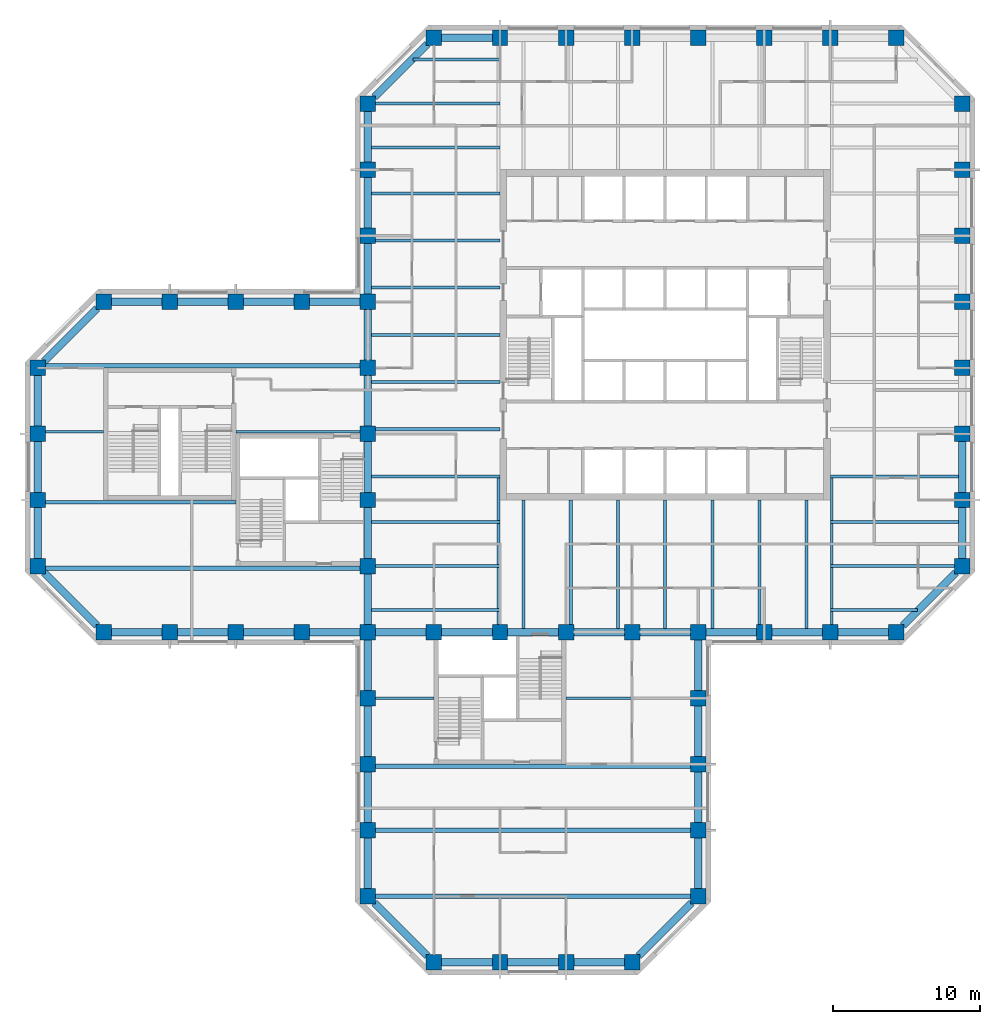
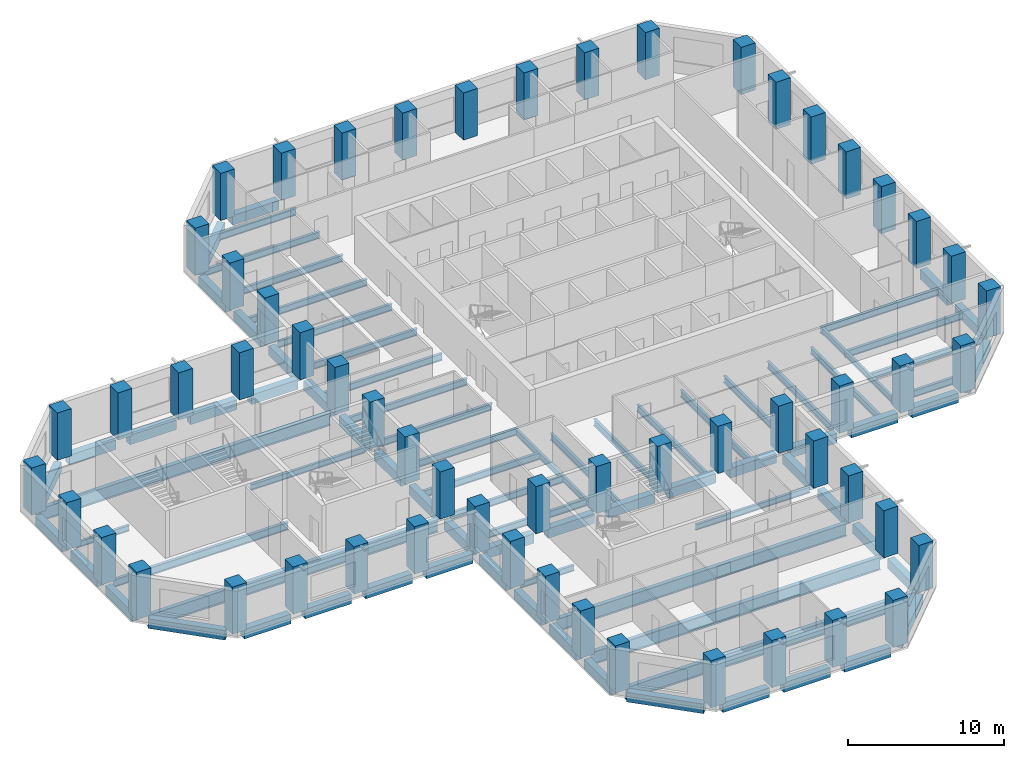
# One storey, part 1 of 11: 83 beams, 57 columns.
"""IFC4 building model written with IfcOpenShell, lengths in metres."""

from ifc_helpers import new_model, si_unit, direction, frame, origin, origin_2d, place, context, subcontext, project, spatial, rectangle, i_section, extrude, material, material_profile, profile_set, type_object, element, save


model = new_model("IFC4")

# Units and contexts
model_context = context("Model", 3, precision=1e-05, world=origin(), true_north=direction((0.0, 1.0)))
body_context = subcontext(model_context, "Body", "Model", "MODEL_VIEW")
ifc_project = project(units=[si_unit("LENGTHUNIT", "METRE"), si_unit("AREAUNIT", "SQUARE_METRE"), si_unit("VOLUMEUNIT", "CUBIC_METRE"), si_unit("PLANEANGLEUNIT", "RADIAN"), si_unit("MASSUNIT", "GRAM", prefix="KILO")], contexts=[model_context])

# Site, building, storey
site_placement = place(None, origin())
site = spatial("IfcSite", under=ifc_project, at=site_placement, CompositionType="ELEMENT")
building_placement = place(site_placement, origin())
building = spatial("IfcBuilding", under=site, at=building_placement, Name="Quoin Convention Tower", CompositionType="ELEMENT")
storey_placement = place(building_placement, frame((0.0, 0.0, 108.5)))
storey = spatial("IfcBuildingStorey", under=building, at=storey_placement, Name="L28", CompositionType="ELEMENT", Elevation=108.5)

# Columns
ifc_material_1 = material(Name="Concrete C65", Category="concrete")
ifc_material_profile_1 = material_profile(ifc_material_1, rectangle(XDim=1.050048828125, YDim=1.050048828125, at=origin_2d()), Name="RC 1050x1050")
ifc_profile_set_1 = profile_set([ifc_material_profile_1], Name="Concrete C65")
column_type = type_object("IfcColumnType", Name="RC 1050x1050 C65", PredefinedType="COLUMN", material=ifc_profile_set_1)
for number, where, z_axis, x_axis, name in (
    (1, (40.5, 18.0, 0.0), (0.0, 0.0, 1.0), (1.0, 0.0, 0.0), "col-L28-40500_18000"),
    (2, (45.0, 18.0, 0.0), (0.0, 0.0, 1.0), (1.0, 0.0, 0.0), "col-L28-45000_18000"),
    (3, (49.5, 18.0, 0.0), (0.0, 0.0, 1.0), (1.0, 0.0, 0.0), "col-L28-49500_18000"),
    (4, (54.0, 18.0, 0.0), (0.0, 0.0, 1.0), (1.0, 0.0, 0.0), "col-L28-54000_18000"),
    (5, (36.0, 22.5, 0.0), (0.0, 0.0, 1.0), (1.0, 0.0, 0.0), "col-L28-36000_22500"),
    (6, (58.5, 22.5, 0.0), (0.0, 0.0, 1.0), (1.0, 0.0, 0.0), "col-L28-58500_22500"),
    (7, (36.0, 27.0, 0.0), (0.0, 0.0, 1.0), (1.0, 0.0, 0.0), "col-L28-36000_27000"),
    (8, (58.5, 27.0, 0.0), (0.0, 0.0, 1.0), (1.0, 0.0, 0.0), "col-L28-58500_27000"),
    (9, (36.0, 31.5, 0.0), (0.0, 0.0, 1.0), (1.0, 0.0, 0.0), "col-L28-36000_31500"),
    (10, (58.5, 31.5, 0.0), (0.0, 0.0, 1.0), (1.0, 0.0, 0.0), "col-L28-58500_31500"),
    (11, (36.0, 36.0, 0.0), (0.0, 0.0, 1.0), (1.0, 0.0, 0.0), "col-L28-36000_36000"),
    (12, (58.5, 36.0, 0.0), (0.0, 0.0, 1.0), (1.0, 0.0, 0.0), "col-L28-58500_36000"),
    (13, (18.0, 40.5, 0.0), (0.0, 0.0, 1.0), (1.0, 0.0, 0.0), "col-L28-18000_40500"),
    (14, (22.5, 40.5, 0.0), (0.0, 0.0, 1.0), (1.0, 0.0, 0.0), "col-L28-22500_40500"),
    (15, (27.0, 40.5, 0.0), (0.0, 0.0, 1.0), (1.0, 0.0, 0.0), "col-L28-27000_40500"),
    (16, (31.5, 40.5, 0.0), (0.0, 0.0, 1.0), (1.0, 0.0, 0.0), "col-L28-31500_40500"),
    (17, (36.0, 40.5, 0.0), (0.0, 0.0, 1.0), (1.0, 0.0, 0.0), "col-L28-36000_40500"),
    (18, (40.5, 40.5, 0.0), (0.0, 0.0, 1.0), (1.0, 0.0, 0.0), "web-L28-40500_40500"),
    (19, (45.0, 40.5, 0.0), (0.0, 0.0, 1.0), (1.0, 0.0, 0.0), "web-L28-45000_40500"),
    (20, (49.5, 40.5, 0.0), (0.0, 0.0, 1.0), (1.0, 0.0, 0.0), "web-L28-49500_40500"),
    (21, (54.0, 40.5, 0.0), (0.0, 0.0, 1.0), (1.0, 0.0, 0.0), "web-L28-54000_40500"),
    (22, (58.5, 40.5, 0.0), (0.0, 0.0, 1.0), (1.0, 0.0, 0.0), "col-L28-58500_40500"),
    (23, (63.0, 40.5, 0.0), (0.0, 0.0, 1.0), (1.0, 0.0, 0.0), "col-L28-63000_40500"),
    (24, (67.5, 40.5, 0.0), (0.0, 0.0, 1.0), (1.0, 0.0, 0.0), "col-L28-67500_40500"),
    (25, (72.0, 40.5, 0.0), (0.0, 0.0, 1.0), (1.0, 0.0, 0.0), "col-L28-72000_40500"),
    (26, (13.5, 45.0, 0.0), (0.0, 0.0, 1.0), (1.0, 0.0, 0.0), "col-L28-13500_45000"),
    (27, (36.0, 45.0, 0.0), (0.0, 0.0, 1.0), (1.0, 0.0, 0.0), "web-L28-36000_45000"),
    (28, (76.5, 45.0, 0.0), (0.0, 0.0, 1.0), (1.0, 0.0, 0.0), "col-L28-76500_45000"),
    (29, (13.5, 49.5, 0.0), (0.0, 0.0, 1.0), (1.0, 0.0, 0.0), "col-L28-13500_49500"),
    (30, (36.0, 49.5, 0.0), (0.0, 0.0, 1.0), (1.0, 0.0, 0.0), "web-L28-36000_49500"),
    (31, (76.5, 49.5, 0.0), (0.0, 0.0, 1.0), (1.0, 0.0, 0.0), "col-L28-76500_49500"),
    (32, (13.5, 54.0, 0.0), (0.0, 0.0, 1.0), (1.0, 0.0, 0.0), "col-L28-13500_54000"),
    (33, (36.0, 54.0, 0.0), (0.0, 0.0, 1.0), (1.0, 0.0, 0.0), "web-L28-36000_54000"),
    (34, (76.5, 54.0, 0.0), (0.0, 0.0, 1.0), (1.0, 0.0, 0.0), "col-L28-76500_54000"),
    (35, (13.5, 58.5, 0.0), (0.0, 0.0, 1.0), (1.0, 0.0, 0.0), "col-L28-13500_58500"),
    (36, (36.0, 58.5, 0.0), (0.0, 0.0, 1.0), (1.0, 0.0, 0.0), "web-L28-36000_58500"),
    (37, (76.5, 58.5, 0.0), (0.0, 0.0, 1.0), (1.0, 0.0, 0.0), "col-L28-76500_58500"),
    (38, (18.0, 63.0, 0.0), (0.0, 0.0, 1.0), (1.0, 0.0, 0.0), "col-L28-18000_63000"),
    (39, (22.5, 63.0, 0.0), (0.0, 0.0, 1.0), (1.0, 0.0, 0.0), "col-L28-22500_63000"),
    (40, (27.0, 63.0, 0.0), (0.0, 0.0, 1.0), (1.0, 0.0, 0.0), "col-L28-27000_63000"),
    (41, (31.5, 63.0, 0.0), (0.0, 0.0, 1.0), (1.0, 0.0, 0.0), "col-L28-31500_63000"),
    (42, (36.0, 63.0, 0.0), (0.0, 0.0, 1.0), (1.0, 0.0, 0.0), "col-L28-36000_63000"),
    (43, (76.5, 63.0, 0.0), (0.0, 0.0, 1.0), (1.0, 0.0, 0.0), "col-L28-76500_63000"),
    (44, (36.0, 67.5, 0.0), (0.0, 0.0, 1.0), (1.0, 0.0, 0.0), "col-L28-36000_67500"),
    (45, (76.5, 67.5, 0.0), (0.0, 0.0, 1.0), (1.0, 0.0, 0.0), "col-L28-76500_67500"),
    (46, (36.0, 72.0, 0.0), (0.0, 0.0, 1.0), (1.0, 0.0, 0.0), "col-L28-36000_72000"),
    (47, (76.5, 72.0, 0.0), (0.0, 0.0, 1.0), (1.0, 0.0, 0.0), "col-L28-76500_72000"),
    (48, (36.0, 76.5, 0.0), (0.0, 0.0, 1.0), (1.0, 0.0, 0.0), "col-L28-36000_76500"),
    (49, (76.5, 76.5, 0.0), (0.0, 0.0, 1.0), (1.0, 0.0, 0.0), "col-L28-76500_76500"),
    (50, (40.5, 81.0, 0.0), (0.0, 0.0, 1.0), (1.0, 0.0, 0.0), "col-L28-40500_81000"),
    (51, (45.0, 81.0, 0.0), (0.0, 0.0, 1.0), (1.0, 0.0, 0.0), "col-L28-45000_81000"),
    (52, (49.5, 81.0, 0.0), (0.0, 0.0, 1.0), (1.0, 0.0, 0.0), "col-L28-49500_81000"),
    (53, (54.0, 81.0, 0.0), (0.0, 0.0, 1.0), (1.0, 0.0, 0.0), "col-L28-54000_81000"),
    (54, (58.5, 81.0, 0.0), (0.0, 0.0, 1.0), (1.0, 0.0, 0.0), "col-L28-58500_81000"),
    (55, (63.0, 81.0, 0.0), (0.0, 0.0, 1.0), (1.0, 0.0, 0.0), "col-L28-63000_81000"),
    (56, (67.5, 81.0, 0.0), (0.0, 0.0, 1.0), (1.0, 0.0, 0.0), "col-L28-67500_81000"),
    (57, (72.0, 81.0, 0.0), (0.0, 0.0, 1.0), (1.0, 0.0, 0.0), "col-L28-72000_81000"),
):
    element("IfcColumn", number, at=place(storey_placement, frame(where, z_axis=z_axis, x_axis=x_axis)), inside=storey, type_object=column_type, Name=name, PredefinedType="COLUMN", context=body_context, shape_type="SweptSolid", body=[
        extrude(rectangle(XDim=1.050048828125, YDim=1.050048828125, at=origin_2d()), origin(), (0.0, 0.0, 1.0), 3.699951171875),
    ])

# Beams
ifc_material_2 = material(Name="Steel Grade 300", Category="steel")
ifc_material_profile_2 = material_profile(ifc_material_2, i_section(OverallWidth=0.300048828125, OverallDepth=1.0, WebThickness=0.01611328125, FlangeThickness=0.02001953125, at=origin_2d()), Name="1000WB215")
ifc_profile_set_2 = profile_set([ifc_material_profile_2], Name="Steel Grade 300")
beam_type_1 = type_object("IfcBeamType", Name="1000WB215", PredefinedType="BEAM", material=ifc_profile_set_2)
for number, where, z_axis, x_axis, name in (
    (58, (36.52490234375, 22.5, -0.64990234375), (1.0, 0.0, 0.0), (0.0, 1.0, 0.0), "gir-L28-ST3-1-0"),
    (59, (36.52490234375, 27.0, -0.64990234375), (1.0, 0.0, 0.0), (0.0, 1.0, 0.0), "gir-L28-ST3-2-0"),
    (60, (36.52490234375, 31.35009765625, -0.64990234375), (1.0, 0.0, 0.0), (0.0, 1.0, 0.0), "gir-L28-ST3-3-0"),
    (61, (14.02490234375, 44.85009765625, -0.64990234375), (1.0, 0.0, 0.0), (0.0, 1.0, 0.0), "gir-L28-ST2-1-0"),
    (62, (14.02490234375, 58.64990234375, -0.64990234375), (1.0, 0.0, 0.0), (0.0, 1.0, 0.0), "gir-L28-ST2-4-0"),
):
    element("IfcBeam", number, at=place(storey_placement, frame(where, z_axis=z_axis, x_axis=x_axis)), inside=storey, type_object=beam_type_1, Name=name, PredefinedType="BEAM", context=body_context, shape_type="SweptSolid", body=[
        extrude(i_section(OverallWidth=0.300048828125, OverallDepth=1.0, WebThickness=0.01611328125, FlangeThickness=0.02001953125, at=origin_2d()), origin(), (0.0, 0.0, 1.0), 21.4501953125),
    ])
ifc_material_profile_3 = material_profile(ifc_material_2, i_section(OverallWidth=0.18994140625, OverallDepth=0.4541015625, WebThickness=0.008544921875, FlangeThickness=0.0126953125, FilletRadius=0.011474609375, at=origin_2d()), Name="460UB67.1")
ifc_profile_set_3 = profile_set([ifc_material_profile_3], Name="Steel Grade 300")
beam_type_2 = type_object("IfcBeamType", Name="460UB67.1", PredefinedType="BEAM", material=ifc_profile_set_3)
for number, where, z_axis, x_axis, name in (
    (63, (44.8955078125, 41.02490234375, -0.376953125), (0.0, 1.0, 0.0), (-1.0, 0.0, 0.0), "gir-L28-T1SW"),
    (64, (67.6044921875, 41.02490234375, -0.376953125), (0.0, 1.0, 0.0), (-1.0, 0.0, 0.0), "gir-L28-T1SE"),
):
    element("IfcBeam", number, at=place(storey_placement, frame(where, z_axis=z_axis, x_axis=x_axis)), inside=storey, type_object=beam_type_2, Name=name, PredefinedType="BEAM", context=body_context, shape_type="SweptSolid", body=[
        extrude(i_section(OverallWidth=0.18994140625, OverallDepth=0.4541015625, WebThickness=0.008544921875, FlangeThickness=0.0126953125, FilletRadius=0.011474609375, at=origin_2d()), origin(), (0.0, 0.0, 1.0), 9.977783203125),
    ])
beam_1_placement = place(storey_placement, frame((36.52490234375, 36.0, -0.376953125), z_axis=(1.0, 0.0, 0.0), x_axis=(0.0, 1.0, 0.0)))
element("IfcBeam", 65, at=beam_1_placement, inside=storey, type_object=beam_type_2, Name="gir-L28-ST3-4-0", PredefinedType="BEAM", context=body_context, shape_type="SweptSolid", body=[
    extrude(i_section(OverallWidth=0.18994140625, OverallDepth=0.4541015625, WebThickness=0.008544921875, FlangeThickness=0.0126953125, FilletRadius=0.011474609375, at=origin_2d()), origin(), (0.0, 0.0, 1.0), 3.97509765625),
])
beam_2_placement = place(storey_placement, frame((49.5, 36.0, -0.376953125), z_axis=(1.0, 0.0, 0.0), x_axis=(0.0, 1.0, 0.0)))
element("IfcBeam", 66, at=beam_2_placement, inside=storey, type_object=beam_type_2, Name="gir-L28-ST3-4-1", PredefinedType="BEAM", context=body_context, shape_type="SweptSolid", body=[
    extrude(i_section(OverallWidth=0.18994140625, OverallDepth=0.4541015625, WebThickness=0.008544921875, FlangeThickness=0.0126953125, FilletRadius=0.011474609375, at=origin_2d()), origin(), (0.0, 0.0, 1.0), 8.47509765625),
])
beam_3_placement = place(storey_placement, frame((14.02490234375, 54.14990234375, -0.376953125), z_axis=(1.0, 0.0, 0.0), x_axis=(0.0, 1.0, 0.0)))
element("IfcBeam", 67, at=beam_3_placement, inside=storey, type_object=beam_type_2, Name="gir-L28-ST2-3-0", PredefinedType="BEAM", context=body_context, shape_type="SweptSolid", body=[
    extrude(i_section(OverallWidth=0.18994140625, OverallDepth=0.4541015625, WebThickness=0.008544921875, FlangeThickness=0.0126953125, FilletRadius=0.011474609375, at=origin_2d()), origin(), (0.0, 0.0, 1.0), 3.97509765625),
])
beam_4_placement = place(storey_placement, frame((27.0, 54.14990234375, -0.376953125), z_axis=(1.0, 0.0, 0.0), x_axis=(0.0, 1.0, 0.0)))
element("IfcBeam", 68, at=beam_4_placement, inside=storey, type_object=beam_type_2, Name="gir-L28-ST2-3-1", PredefinedType="BEAM", context=body_context, shape_type="SweptSolid", body=[
    extrude(i_section(OverallWidth=0.18994140625, OverallDepth=0.4541015625, WebThickness=0.008544921875, FlangeThickness=0.0126953125, FilletRadius=0.011474609375, at=origin_2d()), origin(), (0.0, 0.0, 1.0), 8.47509765625),
])
ifc_material_profile_4 = material_profile(ifc_material_2, i_section(OverallWidth=0.208984375, OverallDepth=0.528076171875, WebThickness=0.009521484375, FlangeThickness=0.01318359375, FilletRadius=0.013916015625, at=origin_2d()), Name="530UB82.0")
ifc_profile_set_4 = profile_set([ifc_material_profile_4], Name="Steel Grade 300")
beam_type_3 = type_object("IfcBeamType", Name="530UB82.0", PredefinedType="BEAM", material=ifc_profile_set_4)
beam_5_placement = place(storey_placement, frame((36.25, 51.107177734375, -0.4140625), z_axis=(1.0, 0.0, 0.0), x_axis=(0.0, 1.0, 0.0)))
element("IfcBeam", 69, at=beam_5_placement, inside=storey, type_object=beam_type_3, Name="bm-L28-T1W0", PredefinedType="BEAM", context=body_context, shape_type="SweptSolid", body=[
    extrude(i_section(OverallWidth=0.208984375, OverallDepth=0.528076171875, WebThickness=0.009521484375, FlangeThickness=0.01318359375, FilletRadius=0.013916015625, at=origin_2d()), origin(), (0.0, 0.0, 1.0), 8.75),
])
beam_6_placement = place(storey_placement, frame((36.52490234375, 54.3212890625, -0.4140625), z_axis=(1.0, 0.0, 0.0), x_axis=(0.0, 1.0, 0.0)))
element("IfcBeam", 70, at=beam_6_placement, inside=storey, type_object=beam_type_3, Name="bm-L28-T1W1", PredefinedType="BEAM", context=body_context, shape_type="SweptSolid", body=[
    extrude(i_section(OverallWidth=0.208984375, OverallDepth=0.528076171875, WebThickness=0.009521484375, FlangeThickness=0.01318359375, FilletRadius=0.013916015625, at=origin_2d()), origin(), (0.0, 0.0, 1.0), 8.47509765625),
])
for number, where, z_axis, x_axis, name in (
    (71, (36.25, 57.53564453125, -0.4140625), (1.0, 0.0, 0.0), (0.0, 1.0, 0.0), "bm-L28-T1W2"),
    (72, (36.25, 60.75, -0.4140625), (1.0, 0.0, 0.0), (0.0, 1.0, 0.0), "bm-L28-T1W3"),
    (73, (36.25, 63.96435546875, -0.4140625), (1.0, 0.0, 0.0), (0.0, 1.0, 0.0), "bm-L28-T1W4"),
):
    element("IfcBeam", number, at=place(storey_placement, frame(where, z_axis=z_axis, x_axis=x_axis)), inside=storey, type_object=beam_type_3, Name=name, PredefinedType="BEAM", context=body_context, shape_type="SweptSolid", body=[
        extrude(i_section(OverallWidth=0.208984375, OverallDepth=0.528076171875, WebThickness=0.009521484375, FlangeThickness=0.01318359375, FilletRadius=0.013916015625, at=origin_2d()), origin(), (0.0, 0.0, 1.0), 8.75),
    ])
beam_7_placement = place(storey_placement, frame((36.52490234375, 67.1787109375, -0.4140625), z_axis=(1.0, 0.0, 0.0), x_axis=(0.0, 1.0, 0.0)))
element("IfcBeam", 74, at=beam_7_placement, inside=storey, type_object=beam_type_3, Name="bm-L28-T1W5", PredefinedType="BEAM", context=body_context, shape_type="SweptSolid", body=[
    extrude(i_section(OverallWidth=0.208984375, OverallDepth=0.528076171875, WebThickness=0.009521484375, FlangeThickness=0.01318359375, FilletRadius=0.013916015625, at=origin_2d()), origin(), (0.0, 0.0, 1.0), 8.47509765625),
])
for number, where, z_axis, x_axis, name in (
    (75, (36.25, 70.392822265625, -0.4140625), (1.0, 0.0, 0.0), (0.0, 1.0, 0.0), "bm-L28-T1W6"),
    (76, (67.5, 51.107177734375, -0.4140625), (1.0, 0.0, 0.0), (0.0, 1.0, 0.0), "bm-L28-T1E0"),
    (77, (46.607177734375, 40.75, -0.4140625), (0.0, 1.0, 0.0), (-1.0, 0.0, 0.0), "bm-L28-T1S0"),
):
    element("IfcBeam", number, at=place(storey_placement, frame(where, z_axis=z_axis, x_axis=x_axis)), inside=storey, type_object=beam_type_3, Name=name, PredefinedType="BEAM", context=body_context, shape_type="SweptSolid", body=[
        extrude(i_section(OverallWidth=0.208984375, OverallDepth=0.528076171875, WebThickness=0.009521484375, FlangeThickness=0.01318359375, FilletRadius=0.013916015625, at=origin_2d()), origin(), (0.0, 0.0, 1.0), 8.75),
    ])
beam_8_placement = place(storey_placement, frame((49.8212890625, 41.02490234375, -0.4140625), z_axis=(0.0, 1.0, 0.0), x_axis=(-1.0, 0.0, 0.0)))
element("IfcBeam", 78, at=beam_8_placement, inside=storey, type_object=beam_type_3, Name="bm-L28-T1S1", PredefinedType="BEAM", context=body_context, shape_type="SweptSolid", body=[
    extrude(i_section(OverallWidth=0.208984375, OverallDepth=0.528076171875, WebThickness=0.009521484375, FlangeThickness=0.01318359375, FilletRadius=0.013916015625, at=origin_2d()), origin(), (0.0, 0.0, 1.0), 8.47509765625),
])
for number, where, z_axis, x_axis, name in (
    (79, (53.03564453125, 40.75, -0.4140625), (0.0, 1.0, 0.0), (-1.0, 0.0, 0.0), "bm-L28-T1S2"),
    (80, (56.25, 40.75, -0.4140625), (0.0, 1.0, 0.0), (-1.0, 0.0, 0.0), "bm-L28-T1S3"),
    (81, (59.46435546875, 40.75, -0.4140625), (0.0, 1.0, 0.0), (-1.0, 0.0, 0.0), "bm-L28-T1S4"),
):
    element("IfcBeam", number, at=place(storey_placement, frame(where, z_axis=z_axis, x_axis=x_axis)), inside=storey, type_object=beam_type_3, Name=name, PredefinedType="BEAM", context=body_context, shape_type="SweptSolid", body=[
        extrude(i_section(OverallWidth=0.208984375, OverallDepth=0.528076171875, WebThickness=0.009521484375, FlangeThickness=0.01318359375, FilletRadius=0.013916015625, at=origin_2d()), origin(), (0.0, 0.0, 1.0), 8.75),
    ])
beam_9_placement = place(storey_placement, frame((62.6787109375, 41.02490234375, -0.4140625), z_axis=(0.0, 1.0, 0.0), x_axis=(-1.0, 0.0, 0.0)))
element("IfcBeam", 82, at=beam_9_placement, inside=storey, type_object=beam_type_3, Name="bm-L28-T1S5", PredefinedType="BEAM", context=body_context, shape_type="SweptSolid", body=[
    extrude(i_section(OverallWidth=0.208984375, OverallDepth=0.528076171875, WebThickness=0.009521484375, FlangeThickness=0.01318359375, FilletRadius=0.013916015625, at=origin_2d()), origin(), (0.0, 0.0, 1.0), 8.47509765625),
])
for number, where, z_axis, x_axis, name in (
    (83, (65.892822265625, 40.75, -0.4140625), (0.0, 1.0, 0.0), (-1.0, 0.0, 0.0), "bm-L28-T1S6"),
    (84, (36.25, 42.0, -0.4140625), (1.0, 0.0, 0.0), (0.0, 1.0, 0.0), "bm-L28-T1SW0"),
):
    element("IfcBeam", number, at=place(storey_placement, frame(where, z_axis=z_axis, x_axis=x_axis)), inside=storey, type_object=beam_type_3, Name=name, PredefinedType="BEAM", context=body_context, shape_type="SweptSolid", body=[
        extrude(i_section(OverallWidth=0.208984375, OverallDepth=0.528076171875, WebThickness=0.009521484375, FlangeThickness=0.01318359375, FilletRadius=0.013916015625, at=origin_2d()), origin(), (0.0, 0.0, 1.0), 8.75),
    ])
beam_10_placement = place(storey_placement, frame((36.52490234375, 45.0, -0.4140625), z_axis=(1.0, 0.0, 0.0), x_axis=(0.0, 1.0, 0.0)))
element("IfcBeam", 85, at=beam_10_placement, inside=storey, type_object=beam_type_3, Name="bm-L28-T1SW1", PredefinedType="BEAM", context=body_context, shape_type="SweptSolid", body=[
    extrude(i_section(OverallWidth=0.208984375, OverallDepth=0.528076171875, WebThickness=0.009521484375, FlangeThickness=0.01318359375, FilletRadius=0.013916015625, at=origin_2d()), origin(), (0.0, 0.0, 1.0), 8.47509765625),
])
beam_11_placement = place(storey_placement, frame((36.25, 48.0, -0.4140625), z_axis=(1.0, 0.0, 0.0), x_axis=(0.0, 1.0, 0.0)))
element("IfcBeam", 86, at=beam_11_placement, inside=storey, type_object=beam_type_3, Name="bm-L28-T1SW2", PredefinedType="BEAM", context=body_context, shape_type="SweptSolid", body=[
    extrude(i_section(OverallWidth=0.208984375, OverallDepth=0.528076171875, WebThickness=0.009521484375, FlangeThickness=0.01318359375, FilletRadius=0.013916015625, at=origin_2d()), origin(), (0.0, 0.0, 1.0), 8.75),
])
beam_12_placement = place(storey_placement, frame((67.5, 42.0, -0.4140625), z_axis=(1.0, 0.0, 0.0), x_axis=(0.0, 1.0, 0.0)))
element("IfcBeam", 87, at=beam_12_placement, inside=storey, type_object=beam_type_3, Name="bm-L28-T1SE0", PredefinedType="BEAM", context=body_context, shape_type="SweptSolid", body=[
    extrude(i_section(OverallWidth=0.208984375, OverallDepth=0.528076171875, WebThickness=0.009521484375, FlangeThickness=0.01318359375, FilletRadius=0.013916015625, at=origin_2d()), origin(), (0.0, 0.0, 1.0), 5.927734375),
])
beam_13_placement = place(storey_placement, frame((67.5, 45.0, -0.4140625), z_axis=(1.0, 0.0, 0.0), x_axis=(0.0, 1.0, 0.0)))
element("IfcBeam", 88, at=beam_13_placement, inside=storey, type_object=beam_type_3, Name="bm-L28-T1SE1", PredefinedType="BEAM", context=body_context, shape_type="SweptSolid", body=[
    extrude(i_section(OverallWidth=0.208984375, OverallDepth=0.528076171875, WebThickness=0.009521484375, FlangeThickness=0.01318359375, FilletRadius=0.013916015625, at=origin_2d()), origin(), (0.0, 0.0, 1.0), 8.47509765625),
])
beam_14_placement = place(storey_placement, frame((67.5, 48.0, -0.4140625), z_axis=(1.0, 0.0, 0.0), x_axis=(0.0, 1.0, 0.0)))
element("IfcBeam", 89, at=beam_14_placement, inside=storey, type_object=beam_type_3, Name="bm-L28-T1SE2", PredefinedType="BEAM", context=body_context, shape_type="SweptSolid", body=[
    extrude(i_section(OverallWidth=0.208984375, OverallDepth=0.528076171875, WebThickness=0.009521484375, FlangeThickness=0.01318359375, FilletRadius=0.013916015625, at=origin_2d()), origin(), (0.0, 0.0, 1.0), 8.75),
])
beam_15_placement = place(storey_placement, frame((39.072265625, 79.5, -0.4140625), z_axis=(1.0, 0.0, 0.0), x_axis=(0.0, 1.0, 0.0)))
element("IfcBeam", 90, at=beam_15_placement, inside=storey, type_object=beam_type_3, Name="bm-L28-T1NW0", PredefinedType="BEAM", context=body_context, shape_type="SweptSolid", body=[
    extrude(i_section(OverallWidth=0.208984375, OverallDepth=0.528076171875, WebThickness=0.009521484375, FlangeThickness=0.01318359375, FilletRadius=0.013916015625, at=origin_2d()), origin(), (0.0, 0.0, 1.0), 5.927734375),
])
beam_16_placement = place(storey_placement, frame((36.52490234375, 76.5, -0.4140625), z_axis=(1.0, 0.0, 0.0), x_axis=(0.0, 1.0, 0.0)))
element("IfcBeam", 91, at=beam_16_placement, inside=storey, type_object=beam_type_3, Name="bm-L28-T1NW1", PredefinedType="BEAM", context=body_context, shape_type="SweptSolid", body=[
    extrude(i_section(OverallWidth=0.208984375, OverallDepth=0.528076171875, WebThickness=0.009521484375, FlangeThickness=0.01318359375, FilletRadius=0.013916015625, at=origin_2d()), origin(), (0.0, 0.0, 1.0), 8.47509765625),
])
beam_17_placement = place(storey_placement, frame((36.25, 73.5, -0.4140625), z_axis=(1.0, 0.0, 0.0), x_axis=(0.0, 1.0, 0.0)))
element("IfcBeam", 92, at=beam_17_placement, inside=storey, type_object=beam_type_3, Name="bm-L28-T1NW2", PredefinedType="BEAM", context=body_context, shape_type="SweptSolid", body=[
    extrude(i_section(OverallWidth=0.208984375, OverallDepth=0.528076171875, WebThickness=0.009521484375, FlangeThickness=0.01318359375, FilletRadius=0.013916015625, at=origin_2d()), origin(), (0.0, 0.0, 1.0), 8.75),
])
ifc_material_profile_5 = material_profile(ifc_material_2, i_section(OverallWidth=0.22802734375, OverallDepth=0.60205078125, WebThickness=0.010498046875, FlangeThickness=0.014892578125, FilletRadius=0.013916015625, at=origin_2d()), Name="610UB101")
ifc_profile_set_5 = profile_set([ifc_material_profile_5], Name="Steel Grade 300")
beam_type_4 = type_object("IfcBeamType", Name="610UB101", PredefinedType="BEAM", material=ifc_profile_set_5)
beam_18_placement = place(storey_placement, frame((14.02490234375, 49.35009765625, -0.450927734375), z_axis=(1.0, 0.0, 0.0), x_axis=(0.0, 1.0, 0.0)))
element("IfcBeam", 93, at=beam_18_placement, inside=storey, type_object=beam_type_4, Name="gir-L28-ST2-2-0", PredefinedType="BEAM", context=body_context, shape_type="SweptSolid", body=[
    extrude(i_section(OverallWidth=0.22802734375, OverallDepth=0.60205078125, WebThickness=0.010498046875, FlangeThickness=0.014892578125, FilletRadius=0.013916015625, at=origin_2d()), origin(), (0.0, 0.0, 1.0), 12.97509765625),
])
ifc_material_profile_6 = material_profile(ifc_material_1, rectangle(XDim=0.5, YDim=0.75, at=origin_2d()), Name="RC 500x750")
ifc_profile_set_6 = profile_set([ifc_material_profile_6], Name="Concrete C65")
beam_type_5 = type_object("IfcBeamType", Name="RC 500x750 C65", PredefinedType="SPANDREL", material=ifc_profile_set_6)
for number, where, z_axis, x_axis, name in (
    (94, (59.02490234375, 40.5, -0.52490234375), (1.0, 0.0, 0.0), (0.0, 1.0, 0.0), "spd-L28-58500_40500-63000_40500"),
    (95, (63.52490234375, 40.5, -0.52490234375), (1.0, 0.0, 0.0), (0.0, 1.0, 0.0), "spd-L28-63000_40500-67500_40500"),
    (96, (68.02490234375, 40.5, -0.52490234375), (1.0, 0.0, 0.0), (0.0, 1.0, 0.0), "spd-L28-67500_40500-72000_40500"),
):
    element("IfcBeam", number, at=place(storey_placement, frame(where, z_axis=z_axis, x_axis=x_axis)), inside=storey, type_object=beam_type_5, Name=name, PredefinedType="SPANDREL", context=body_context, shape_type="SweptSolid", body=[
        extrude(rectangle(XDim=0.5, YDim=0.75, at=origin_2d()), origin(), (0.0, 0.0, 1.0), 3.4501953125),
    ])
beam_19_placement = place(storey_placement, frame((72.440185546875, 40.940185546875, -0.52490234375), z_axis=(0.707106781187, 0.707106781187, 0.0), x_axis=(-0.707106781187, 0.707106781187, 0.0)))
element("IfcBeam", 97, at=beam_19_placement, inside=storey, type_object=beam_type_5, Name="spd-L28-72000_40500-76500_45000", PredefinedType="SPANDREL", context=body_context, shape_type="SweptSolid", body=[
    extrude(rectangle(XDim=0.5, YDim=0.75, at=origin_2d()), origin(), (0.0, 0.0, 1.0), 5.118896484375),
])
for number, where, z_axis, x_axis, name in (
    (98, (76.5, 45.52490234375, -0.52490234375), (0.0, 1.0, 0.0), (-1.0, 0.0, 0.0), "spd-L28-76500_45000-76500_49500"),
    (99, (76.5, 50.02490234375, -0.52490234375), (0.0, 1.0, 0.0), (-1.0, 0.0, 0.0), "spd-L28-76500_49500-76500_54000"),
    (100, (44.47509765625, 81.0, -0.52490234375), (-1.0, 0.0, 0.0), (0.0, -1.0, 0.0), "spd-L28-45000_81000-40500_81000"),
):
    element("IfcBeam", number, at=place(storey_placement, frame(where, z_axis=z_axis, x_axis=x_axis)), inside=storey, type_object=beam_type_5, Name=name, PredefinedType="SPANDREL", context=body_context, shape_type="SweptSolid", body=[
        extrude(rectangle(XDim=0.5, YDim=0.75, at=origin_2d()), origin(), (0.0, 0.0, 1.0), 3.4501953125),
    ])
beam_20_placement = place(storey_placement, frame((40.059814453125, 80.559814453125, -0.52490234375), z_axis=(-0.707106781187, -0.707106781187, 0.0), x_axis=(0.707106781187, -0.707106781187, 0.0)))
element("IfcBeam", 101, at=beam_20_placement, inside=storey, type_object=beam_type_5, Name="spd-L28-40500_81000-36000_76500", PredefinedType="SPANDREL", context=body_context, shape_type="SweptSolid", body=[
    extrude(rectangle(XDim=0.5, YDim=0.75, at=origin_2d()), origin(), (0.0, 0.0, 1.0), 5.118896484375),
])
for number, where, z_axis, x_axis, name in (
    (102, (36.0, 75.97509765625, -0.52490234375), (0.0, -1.0, 0.0), (1.0, 0.0, 0.0), "spd-L28-36000_76500-36000_72000"),
    (103, (36.0, 71.47509765625, -0.52490234375), (0.0, -1.0, 0.0), (1.0, 0.0, 0.0), "spd-L28-36000_72000-36000_67500"),
    (104, (36.0, 66.97509765625, -0.52490234375), (0.0, -1.0, 0.0), (1.0, 0.0, 0.0), "spd-L28-36000_67500-36000_63000"),
    (105, (35.47509765625, 63.0, -0.52490234375), (-1.0, 0.0, 0.0), (0.0, -1.0, 0.0), "spd-L28-36000_63000-31500_63000"),
    (106, (30.97509765625, 63.0, -0.52490234375), (-1.0, 0.0, 0.0), (0.0, -1.0, 0.0), "spd-L28-31500_63000-27000_63000"),
    (107, (26.47509765625, 63.0, -0.52490234375), (-1.0, 0.0, 0.0), (0.0, -1.0, 0.0), "spd-L28-27000_63000-22500_63000"),
    (108, (21.97509765625, 63.0, -0.52490234375), (-1.0, 0.0, 0.0), (0.0, -1.0, 0.0), "spd-L28-22500_63000-18000_63000"),
):
    element("IfcBeam", number, at=place(storey_placement, frame(where, z_axis=z_axis, x_axis=x_axis)), inside=storey, type_object=beam_type_5, Name=name, PredefinedType="SPANDREL", context=body_context, shape_type="SweptSolid", body=[
        extrude(rectangle(XDim=0.5, YDim=0.75, at=origin_2d()), origin(), (0.0, 0.0, 1.0), 3.4501953125),
    ])
beam_21_placement = place(storey_placement, frame((17.559814453125, 62.559814453125, -0.52490234375), z_axis=(-0.707106781187, -0.707106781187, 0.0), x_axis=(0.707106781187, -0.707106781187, 0.0)))
element("IfcBeam", 109, at=beam_21_placement, inside=storey, type_object=beam_type_5, Name="spd-L28-18000_63000-13500_58500", PredefinedType="SPANDREL", context=body_context, shape_type="SweptSolid", body=[
    extrude(rectangle(XDim=0.5, YDim=0.75, at=origin_2d()), origin(), (0.0, 0.0, 1.0), 5.118896484375),
])
for number, where, z_axis, x_axis, name in (
    (110, (13.5, 57.97509765625, -0.52490234375), (0.0, -1.0, 0.0), (1.0, 0.0, 0.0), "spd-L28-13500_58500-13500_54000"),
    (111, (13.5, 53.47509765625, -0.52490234375), (0.0, -1.0, 0.0), (1.0, 0.0, 0.0), "spd-L28-13500_54000-13500_49500"),
    (112, (13.5, 48.97509765625, -0.52490234375), (0.0, -1.0, 0.0), (1.0, 0.0, 0.0), "spd-L28-13500_49500-13500_45000"),
):
    element("IfcBeam", number, at=place(storey_placement, frame(where, z_axis=z_axis, x_axis=x_axis)), inside=storey, type_object=beam_type_5, Name=name, PredefinedType="SPANDREL", context=body_context, shape_type="SweptSolid", body=[
        extrude(rectangle(XDim=0.5, YDim=0.75, at=origin_2d()), origin(), (0.0, 0.0, 1.0), 3.4501953125),
    ])
beam_22_placement = place(storey_placement, frame((13.940185546875, 44.559814453125, -0.52490234375), z_axis=(0.707106781187, -0.707106781187, 0.0), x_axis=(0.707106781187, 0.707106781187, 0.0)))
element("IfcBeam", 113, at=beam_22_placement, inside=storey, type_object=beam_type_5, Name="spd-L28-13500_45000-18000_40500", PredefinedType="SPANDREL", context=body_context, shape_type="SweptSolid", body=[
    extrude(rectangle(XDim=0.5, YDim=0.75, at=origin_2d()), origin(), (0.0, 0.0, 1.0), 5.118896484375),
])
for number, where, z_axis, x_axis, name in (
    (114, (18.52490234375, 40.5, -0.52490234375), (1.0, 0.0, 0.0), (0.0, 1.0, 0.0), "spd-L28-18000_40500-22500_40500"),
    (115, (23.02490234375, 40.5, -0.52490234375), (1.0, 0.0, 0.0), (0.0, 1.0, 0.0), "spd-L28-22500_40500-27000_40500"),
    (116, (27.52490234375, 40.5, -0.52490234375), (1.0, 0.0, 0.0), (0.0, 1.0, 0.0), "spd-L28-27000_40500-31500_40500"),
    (117, (32.02490234375, 40.5, -0.52490234375), (1.0, 0.0, 0.0), (0.0, 1.0, 0.0), "spd-L28-31500_40500-36000_40500"),
    (118, (36.0, 39.97509765625, -0.52490234375), (0.0, -1.0, 0.0), (1.0, 0.0, 0.0), "spd-L28-36000_40500-36000_36000"),
    (119, (36.0, 35.47509765625, -0.52490234375), (0.0, -1.0, 0.0), (1.0, 0.0, 0.0), "spd-L28-36000_36000-36000_31500"),
    (120, (36.0, 30.97509765625, -0.52490234375), (0.0, -1.0, 0.0), (1.0, 0.0, 0.0), "spd-L28-36000_31500-36000_27000"),
    (121, (36.0, 26.47509765625, -0.52490234375), (0.0, -1.0, 0.0), (1.0, 0.0, 0.0), "spd-L28-36000_27000-36000_22500"),
):
    element("IfcBeam", number, at=place(storey_placement, frame(where, z_axis=z_axis, x_axis=x_axis)), inside=storey, type_object=beam_type_5, Name=name, PredefinedType="SPANDREL", context=body_context, shape_type="SweptSolid", body=[
        extrude(rectangle(XDim=0.5, YDim=0.75, at=origin_2d()), origin(), (0.0, 0.0, 1.0), 3.4501953125),
    ])
beam_23_placement = place(storey_placement, frame((36.440185546875, 22.059814453125, -0.52490234375), z_axis=(0.707106781187, -0.707106781187, 0.0), x_axis=(0.707106781187, 0.707106781187, 0.0)))
element("IfcBeam", 122, at=beam_23_placement, inside=storey, type_object=beam_type_5, Name="spd-L28-36000_22500-40500_18000", PredefinedType="SPANDREL", context=body_context, shape_type="SweptSolid", body=[
    extrude(rectangle(XDim=0.5, YDim=0.75, at=origin_2d()), origin(), (0.0, 0.0, 1.0), 5.118896484375),
])
for number, where, z_axis, x_axis, name in (
    (123, (41.02490234375, 18.0, -0.52490234375), (1.0, 0.0, 0.0), (0.0, 1.0, 0.0), "spd-L28-40500_18000-45000_18000"),
    (124, (45.52490234375, 18.0, -0.52490234375), (1.0, 0.0, 0.0), (0.0, 1.0, 0.0), "spd-L28-45000_18000-49500_18000"),
    (125, (50.02490234375, 18.0, -0.52490234375), (1.0, 0.0, 0.0), (0.0, 1.0, 0.0), "spd-L28-49500_18000-54000_18000"),
):
    element("IfcBeam", number, at=place(storey_placement, frame(where, z_axis=z_axis, x_axis=x_axis)), inside=storey, type_object=beam_type_5, Name=name, PredefinedType="SPANDREL", context=body_context, shape_type="SweptSolid", body=[
        extrude(rectangle(XDim=0.5, YDim=0.75, at=origin_2d()), origin(), (0.0, 0.0, 1.0), 3.4501953125),
    ])
beam_24_placement = place(storey_placement, frame((54.440185546875, 18.440185546875, -0.52490234375), z_axis=(0.707106781187, 0.707106781187, 0.0), x_axis=(-0.707106781187, 0.707106781187, 0.0)))
element("IfcBeam", 126, at=beam_24_placement, inside=storey, type_object=beam_type_5, Name="spd-L28-54000_18000-58500_22500", PredefinedType="SPANDREL", context=body_context, shape_type="SweptSolid", body=[
    extrude(rectangle(XDim=0.5, YDim=0.75, at=origin_2d()), origin(), (0.0, 0.0, 1.0), 5.118896484375),
])
for number, where, z_axis, x_axis, name in (
    (127, (58.5, 23.02490234375, -0.52490234375), (0.0, 1.0, 0.0), (-1.0, 0.0, 0.0), "spd-L28-58500_22500-58500_27000"),
    (128, (58.5, 27.52490234375, -0.52490234375), (0.0, 1.0, 0.0), (-1.0, 0.0, 0.0), "spd-L28-58500_27000-58500_31500"),
    (129, (58.5, 32.02490234375, -0.52490234375), (0.0, 1.0, 0.0), (-1.0, 0.0, 0.0), "spd-L28-58500_31500-58500_36000"),
    (130, (58.5, 36.52490234375, -0.52490234375), (0.0, 1.0, 0.0), (-1.0, 0.0, 0.0), "spd-L28-58500_36000-58500_40500"),
    (131, (36.52490234375, 40.5, -0.52490234375), (1.0, 0.0, 0.0), (0.0, 1.0, 0.0), "spd-L28-36000_40500-40500_40500"),
    (132, (41.02490234375, 40.5, -0.52490234375), (1.0, 0.0, 0.0), (0.0, 1.0, 0.0), "spd-L28-40500_40500-45000_40500"),
    (133, (45.52490234375, 40.5, -0.52490234375), (1.0, 0.0, 0.0), (0.0, 1.0, 0.0), "spd-L28-45000_40500-49500_40500"),
    (134, (50.02490234375, 40.5, -0.52490234375), (1.0, 0.0, 0.0), (0.0, 1.0, 0.0), "spd-L28-49500_40500-54000_40500"),
    (135, (54.52490234375, 40.5, -0.52490234375), (1.0, 0.0, 0.0), (0.0, 1.0, 0.0), "spd-L28-54000_40500-58500_40500"),
    (136, (36.0, 41.02490234375, -0.52490234375), (0.0, 1.0, 0.0), (-1.0, 0.0, 0.0), "spd-L28-36000_40500-36000_45000"),
    (137, (36.0, 45.52490234375, -0.52490234375), (0.0, 1.0, 0.0), (-1.0, 0.0, 0.0), "spd-L28-36000_45000-36000_49500"),
    (138, (36.0, 50.02490234375, -0.52490234375), (0.0, 1.0, 0.0), (-1.0, 0.0, 0.0), "spd-L28-36000_49500-36000_54000"),
    (139, (36.0, 54.52490234375, -0.52490234375), (0.0, 1.0, 0.0), (-1.0, 0.0, 0.0), "spd-L28-36000_54000-36000_58500"),
    (140, (36.0, 59.02490234375, -0.52490234375), (0.0, 1.0, 0.0), (-1.0, 0.0, 0.0), "spd-L28-36000_58500-36000_63000"),
):
    element("IfcBeam", number, at=place(storey_placement, frame(where, z_axis=z_axis, x_axis=x_axis)), inside=storey, type_object=beam_type_5, Name=name, PredefinedType="SPANDREL", context=body_context, shape_type="SweptSolid", body=[
        extrude(rectangle(XDim=0.5, YDim=0.75, at=origin_2d()), origin(), (0.0, 0.0, 1.0), 3.4501953125),
    ])

save(model, "model.ifc")
